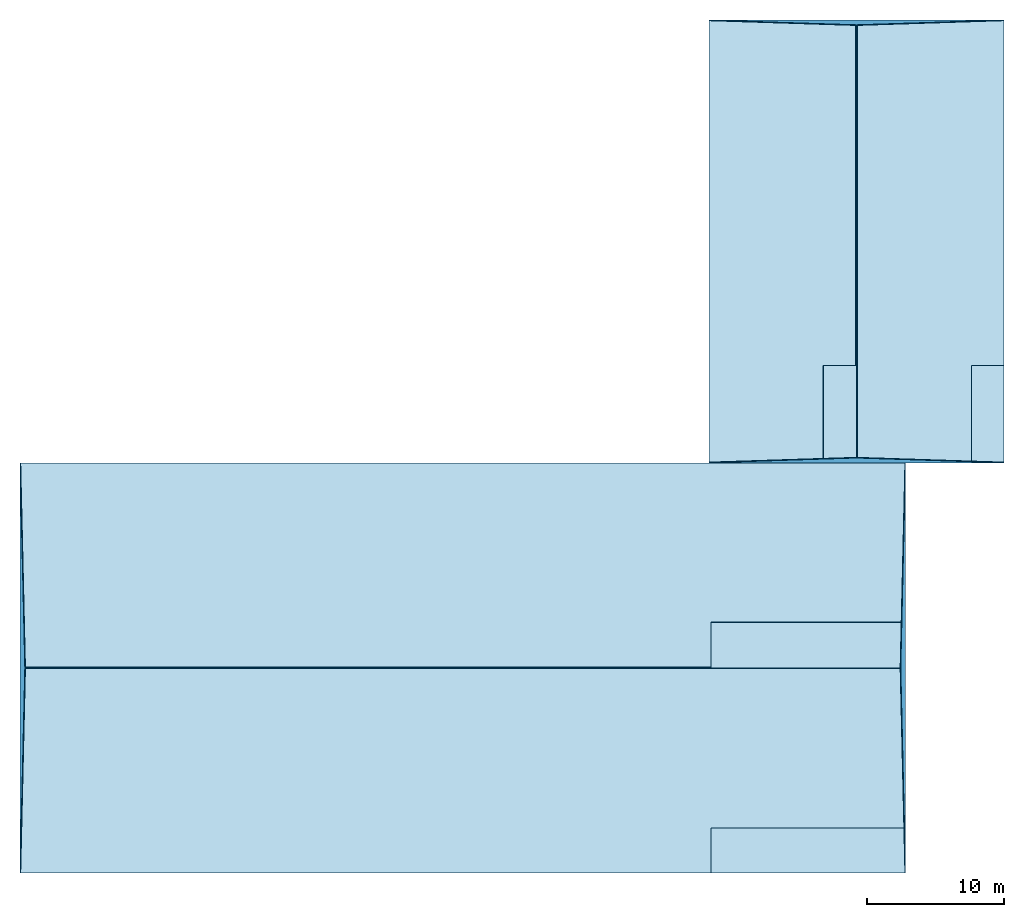
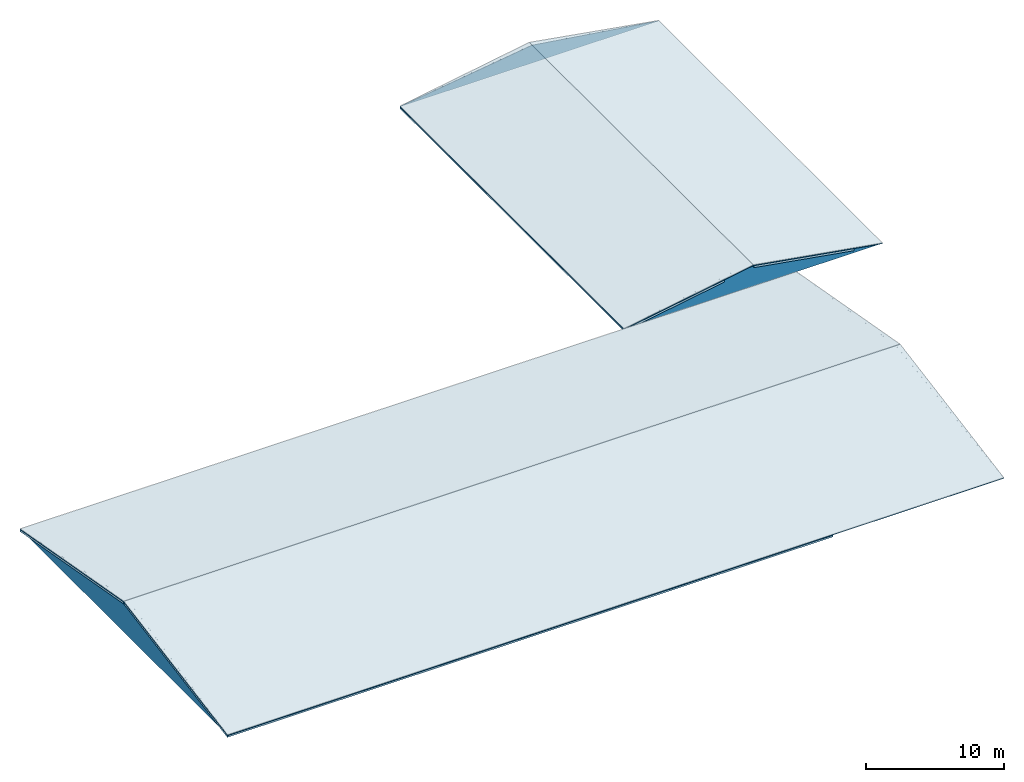
# One storey, part 1 of 2: 8 roofs, 4 slabs.
"""IFC4 building model written with IfcOpenShell, lengths in metres."""

from ifc_helpers import new_model, si_unit, direction, frame, origin, place, context, subcontext, project, spatial, polyline, outline, extrude, material, layer, layer_set, type_object, element, save


model = new_model("IFC4")

# Units and contexts
model_context = context("Model", 3, precision=1e-05, world=origin(), true_north=direction((0.0, 1.0)))
body_context = subcontext(model_context, "Body", "Model", "MODEL_VIEW")
ifc_project = project(units=[si_unit("LENGTHUNIT", "METRE"), si_unit("AREAUNIT", "SQUARE_METRE"), si_unit("VOLUMEUNIT", "CUBIC_METRE"), si_unit("PLANEANGLEUNIT", "RADIAN"), si_unit("MASSUNIT", "GRAM", prefix="KILO")], contexts=[model_context])

# Site, building, storey
site_placement = place(None, origin())
site = spatial("IfcSite", under=ifc_project, at=site_placement, CompositionType="ELEMENT")
building_placement = place(site_placement, origin())
building = spatial("IfcBuilding", under=site, at=building_placement, Name="Solanera Park Tramway Depot", CompositionType="ELEMENT")
storey_placement = place(building_placement, frame((0.0, 0.0, 17.39990234375)))
storey = spatial("IfcBuildingStorey", under=building, at=storey_placement, Name="RF", CompositionType="ELEMENT", Elevation=17.39990234375)

# Slabs
ifc_material_1 = material(Name="Concrete N40 (C40/50)", Category="concrete")
ifc_layer = layer(ifc_material_1, 0.179931640625)
ifc_layer_set = layer_set([ifc_layer], Name="Concrete N40 (C40/50)")
slab_type = type_object("IfcSlabType", Name="Slab Roof 180", PredefinedType="ROOF", material=ifc_layer_set)
slab_1_placement = place(storey_placement, frame((115.199951171875, 2.39990234375, 0.18505859375), z_axis=(1.256108e-06, -0.176841072523, 0.984239419586), x_axis=(0.999999999999, 2.22131e-07, -1.236311e-06)))
element("IfcSlab", 1, at=slab_1_placement, inside=storey, type_object=slab_type, Name="Pitched Roof Slab V4-RF.1", PredefinedType="ROOF", context=body_context, shape_type="SweptSolid", body=[
    extrude(outline(polyline([(0.0, 0.0), (50.54394531246013, 1.3378870926220954e-21), (50.54394531266461, 3.3377320562134996), (64.80004882827838, 3.3377320562134996), (64.80004882811886, 15.171229962581572), (4.498674718377723e-11, 15.171229962581572), (0.0, 0.0)])), origin(), (0.0, 0.0, -1.0), 0.179931640625),
])
slab_2_placement = place(storey_placement, frame((115.199951171875, 17.468017578125, 2.867919921875), z_axis=(9.65365e-07, 0.176839764289, 0.98423965464), x_axis=(1.0, -1.70715e-07, -9.50151e-07)))
element("IfcSlab", 2, at=slab_2_placement, inside=storey, type_object=slab_type, Name="Pitched Roof Slab V4-RF.2", PredefinedType="ROOF", context=body_context, shape_type="SweptSolid", body=[
    extrude(outline(polyline([(0.0, 0.0), (50.543945312476446, 0.0), (50.54394531259723, 3.3375349373130754), (64.80004882821558, 3.3375349373130754), (64.80004882812138, 15.17098966973134), (2.657138167551739e-11, 15.17098966973134), (0.0, 0.0)])), origin(), (0.0, 0.0, -1.0), 0.179931640625),
])
slab_3_placement = place(storey_placement, frame((165.60009765625, 32.39990234375, 0.184814453125), z_axis=(-0.168423948169, -2.103502e-06, 0.985714651245), x_axis=(0.985714651247, -2.6e-11, 0.168423948169)))
element("IfcSlab", 3, at=slab_3_placement, inside=storey, type_object=slab_type, Name="Pitched Roof Slab V4E-RF.1", PredefinedType="ROOF", context=body_context, shape_type="SweptSolid", body=[
    extrude(outline(polyline([(0.0, 0.0), (8.4921449550007, 0.0), (8.492144954812979, 7.128173828109231), (10.88746994957224, 7.128173828459036), (10.887469948906697, 32.40014648465312), (-8.532664492594566e-10, 32.40014648430332), (0.0, 0.0)])), origin(), (0.0, 0.0, -1.0), 0.179931640625),
])
slab_4_placement = place(storey_placement, frame((176.468017578125, 32.39990234375, 2.0185546875), z_axis=(0.168428124704, -1.132314e-06, 0.985713937614), x_axis=(0.985713937615, -8e-12, -0.168428124704)))
element("IfcSlab", 4, at=slab_4_placement, inside=storey, type_object=slab_type, Name="Pitched Roof Slab V4E-RF.2", PredefinedType="ROOF", context=body_context, shape_type="SweptSolid", body=[
    extrude(outline(polyline([(0.0, 0.0), (8.492426727438422, -2.117582368135751e-22), (8.492426727384029, 7.12817382812043), (10.8874699497349, 7.128173828221789), (10.887469949542055, 32.40014648445559), (-2.472394557289361e-10, 32.40014648435423), (0.0, 0.0)])), origin(), (0.0, 0.0, -1.0), 0.179931640625),
])

# Roofs
ifc_material_2 = material(Name="Mission terracotta clay barrel tile roofing", Category="masonry")
roof_type = type_object("IfcRoofType", Name="Spanish Colonial Terracotta Hip Roof Assembly", PredefinedType="HIP_ROOF", material=ifc_material_2)
for number, where, z_axis, x_axis, name in (
    (5, (115.199951171875, 2.39990234375, 0.237060546875), (0.0, -0.176839550325, 0.984239693083), (1.0, 0.0, 0.0), "Terracotta Pitched Roof V4-RF.1"),
    (6, (115.199951171875, 17.39990234375, 2.93212890625), (0.0, 0.176839550325, 0.984239693083), (1.0, 0.0, 0.0), "Terracotta Pitched Roof V4-RF.2"),
):
    element("IfcRoof", number, at=place(storey_placement, frame(where, z_axis=z_axis, x_axis=x_axis)), inside=storey, type_object=roof_type, Name=name, PredefinedType="HIP_ROOF", context=body_context, shape_type="SweptSolid", body=[
        extrude(outline(polyline([(0.0, 0.0), (64.800048828125, 0.0), (64.800048828125, 15.240190073017603), (0.0, 15.240190073017603), (0.0, 0.0)])), origin(), (0.0, 0.0, -1.0), 0.050048828125),
    ])
for number, where, z_axis, x_axis, name in (
    (7, (115.199951171875, 32.39990234375, 0.237060546875), (-0.991667900957, 0.0, 0.128820705677), (0.0, -1.0, 0.0), "Terracotta Hip Gable End V4-RF.E1"),
    (8, (180.0, 2.39990234375, 0.237060546875), (0.991667900957, 0.0, 0.128820705677), (0.0, 1.0, 0.0), "Terracotta Hip Gable End V4-RF.E2"),
):
    element("IfcRoof", number, at=place(storey_placement, frame(where, z_axis=z_axis, x_axis=x_axis)), inside=storey, type_object=roof_type, Name=name, PredefinedType="HIP_ROOF", context=body_context, shape_type="SweptSolid", body=[
        extrude(outline(polyline([(0.0, 0.0), (30.0, 0.0), (15.0, 2.7177126100115876), (0.0, 0.0)])), origin(), (0.0, 0.0, -1.0), 0.050048828125),
    ])
roof_1_placement = place(storey_placement, frame((165.60009765625, 32.39990234375, 0.23681640625), z_axis=(-0.168415811588, 0.0, 0.985716041468), x_axis=(0.985716041468, 0.0, 0.168415811588)))
element("IfcRoof", 9, at=roof_1_placement, inside=storey, type_object=roof_type, Name="Terracotta Pitched Roof V4E-RF.1", PredefinedType="HIP_ROOF", context=body_context, shape_type="SweptSolid", body=[
    extrude(outline(polyline([(0.0, 0.0), (10.956304080653398, 0.0), (10.956304080653398, 32.400146484375), (0.0, 32.400146484375), (0.0, 0.0)])), origin(), (0.0, 0.0, -1.0), 0.050048828125),
])
roof_2_placement = place(storey_placement, frame((176.39990234375, 32.39990234375, 2.08203125), z_axis=(0.168412112444, 0.0, 0.985716673483), x_axis=(0.985716673483, 0.0, -0.168412112444)))
element("IfcRoof", 10, at=roof_2_placement, inside=storey, type_object=roof_type, Name="Terracotta Pitched Roof V4E-RF.2", PredefinedType="HIP_ROOF", context=body_context, shape_type="SweptSolid", body=[
    extrude(outline(polyline([(0.0, 0.0), (10.956544734060987, 0.0), (10.956544734060987, 32.40014648437501), (0.0, 32.40014648437501), (0.0, 0.0)])), origin(), (0.0, 0.0, -1.0), 0.050048828125),
])
roof_3_placement = place(storey_placement, frame((165.60009765625, 32.39990234375, 0.23681640625), z_axis=(0.0, -0.982472571291, 0.186407206567), x_axis=(1.0, 0.0, 0.0)))
element("IfcRoof", 11, at=roof_3_placement, inside=storey, type_object=roof_type, Name="Terracotta Hip Gable End V4E-RF.E1", PredefinedType="HIP_ROOF", context=body_context, shape_type="SweptSolid", body=[
    extrude(outline(polyline([(0.0, 0.0), (21.599853515625, 0.0), (10.7998046875, 1.8781336982512933), (0.0, 0.0)])), origin(), (0.0, 0.0, -1.0), 0.050048828125),
])
roof_4_placement = place(storey_placement, frame((187.199951171875, 64.800048828125, 0.23681640625), z_axis=(0.0, 0.982472571291, 0.186407206567), x_axis=(-1.0, 0.0, 0.0)))
element("IfcRoof", 12, at=roof_4_placement, inside=storey, type_object=roof_type, Name="Terracotta Hip Gable End V4E-RF.E2", PredefinedType="HIP_ROOF", context=body_context, shape_type="SweptSolid", body=[
    extrude(outline(polyline([(0.0, 0.0), (21.599853515625, 0.0), (10.800048828125, 1.8781336982512933), (0.0, 0.0)])), origin(), (0.0, 0.0, -1.0), 0.050048828125),
])

save(model, "model.ifc")
